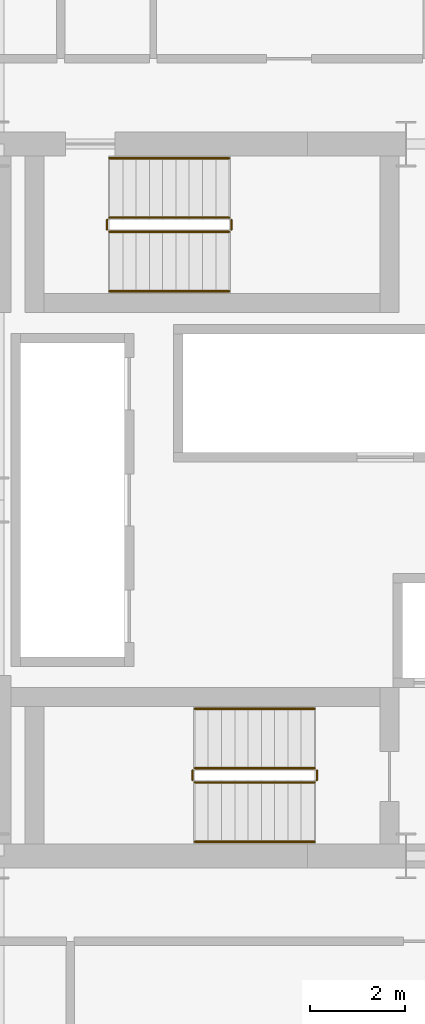
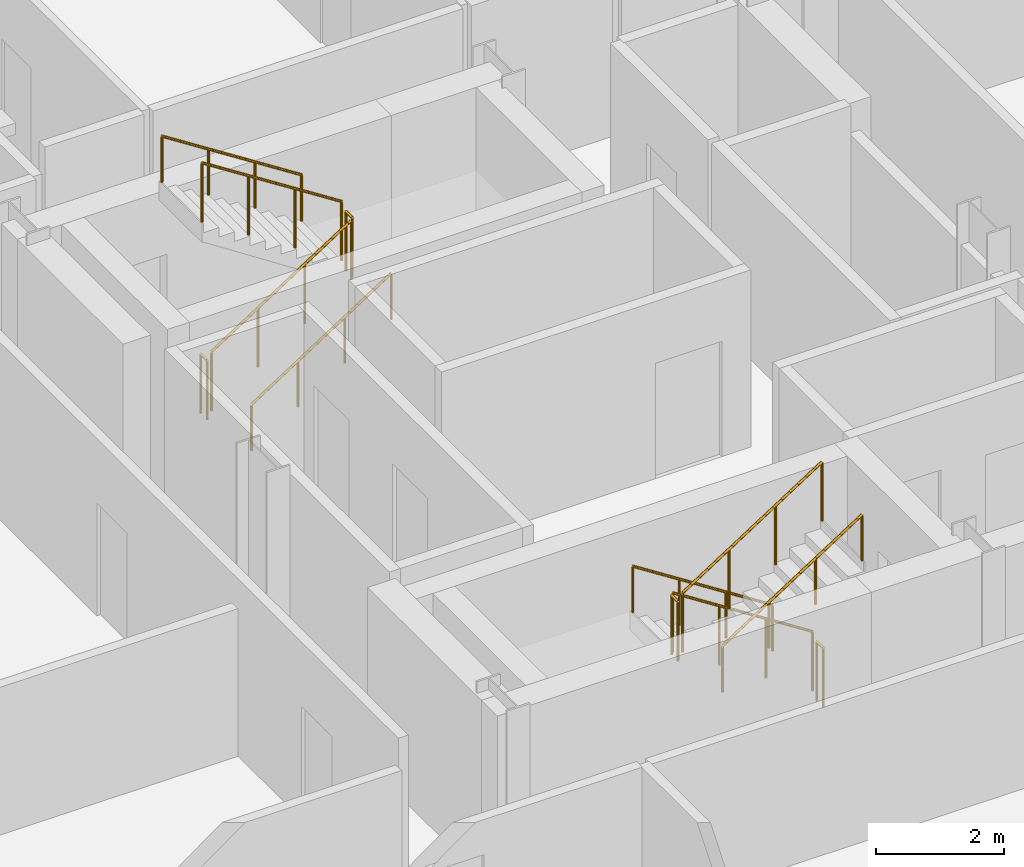
# One storey, part 23 of 24: 12 railings.
"""IFC4 building model written with IfcOpenShell, lengths in metres."""

from ifc_helpers import new_model, si_unit, direction, frame, origin, origin_2d, place, context, subcontext, project, spatial, circle, extrude, material, type_object, element, save


model = new_model("IFC4")

# Units and contexts
model_context = context("Model", 3, precision=1e-05, world=origin(), true_north=direction((0.0, 1.0)))
body_context = subcontext(model_context, "Body", "Model", "MODEL_VIEW")
ifc_project = project(units=[si_unit("LENGTHUNIT", "METRE"), si_unit("AREAUNIT", "SQUARE_METRE"), si_unit("VOLUMEUNIT", "CUBIC_METRE"), si_unit("PLANEANGLEUNIT", "RADIAN"), si_unit("MASSUNIT", "GRAM", prefix="KILO")], contexts=[model_context])

# Site, building, storey
site_placement = place(None, origin())
site = spatial("IfcSite", under=ifc_project, at=site_placement, CompositionType="ELEMENT")
building_placement = place(site_placement, origin())
building = spatial("IfcBuilding", under=site, at=building_placement, Name="Barlavira Tower and Art Museum", CompositionType="ELEMENT")
storey_placement = place(building_placement, frame((0.0, 0.0, 109.800048828125)))
storey = spatial("IfcBuildingStorey", under=building, at=storey_placement, Name="L27", CompositionType="ELEMENT", Elevation=109.800048828125)

# Railings
ifc_material = material(Name="Brushed stainless steel", Category="steel")
railing_type_1 = type_object("IfcRailingType", Name="Interior Void and Landing Guard Railing 1150", PredefinedType="GUARDRAIL", material=ifc_material)
railing_1_placement = place(storey_placement, frame((0.14990234375, -5.64990234375, 0.179931640625)))
element("IfcRailing", 1, at=railing_1_placement, inside=storey, type_object=railing_type_1, Name="L27 ST-T1 stair guard 1", PredefinedType="GUARDRAIL", context=body_context, shape_type="SweptSolid", body=[
    extrude(circle(Radius=0.02392578125, at=origin_2d()), frame((0.0, 0.0, 1.1259765625), z_axis=(-0.841162588446, 0.0, 0.540782303519), x_axis=(0.0, -1.0, 0.0)), (0.0, 0.0, 1.0), 2.995849609375),
    extrude(circle(Radius=0.02099609375, at=origin_2d()), origin(), (0.0, 0.0, 1.0), 1.101806640625),
    extrude(circle(Radius=0.02099609375, at=origin_2d()), frame((-0.840087890625, 0.0, 0.5400390625)), (0.0, 0.0, 1.0), 1.101806640625),
    extrude(circle(Radius=0.02099609375, at=origin_2d()), frame((-1.679931640625, 0.0, 1.080078125)), (0.0, 0.0, 1.0), 1.101806640625),
    extrude(circle(Radius=0.02099609375, at=origin_2d()), frame((-2.52001953125, 0.0, 1.6201171875)), (0.0, 0.0, 1.0), 1.101806640625),
])
railing_2_placement = place(storey_placement, frame((-2.419921875, -5.699951171875, 1.800048828125)))
element("IfcRailing", 2, at=railing_2_placement, inside=storey, type_object=railing_type_1, Name="L27 ST-T1 stair guard 2", PredefinedType="GUARDRAIL", context=body_context, shape_type="SweptSolid", body=[
    extrude(circle(Radius=0.02392578125, at=origin_2d()), frame((0.0, 0.0, 1.1259765625), z_axis=(0.0, -1.0, 0.0), x_axis=(1.0, 0.0, 0.0)), (0.0, 0.0, 1.0), 0.199951171875),
    extrude(circle(Radius=0.02099609375, at=origin_2d()), origin(), (0.0, 0.0, 1.0), 1.101806640625),
    extrude(circle(Radius=0.02099609375, at=origin_2d()), frame((0.0, -0.199951171875, 0.0)), (0.0, 0.0, 1.0), 1.101806640625),
])
railing_3_placement = place(storey_placement, frame((-2.3701171875, -5.949951171875, 1.97998046875)))
element("IfcRailing", 3, at=railing_3_placement, inside=storey, type_object=railing_type_1, Name="L27 ST-T1 stair guard 3", PredefinedType="GUARDRAIL", context=body_context, shape_type="SweptSolid", body=[
    extrude(circle(Radius=0.02392578125, at=origin_2d()), frame((0.0, 0.0, 1.1259765625), z_axis=(0.841199657755, 0.0, 0.540724639528), x_axis=(0.0, 1.0, 0.0)), (0.0, 0.0, 1.0), 2.995849609375),
    extrude(circle(Radius=0.02099609375, at=origin_2d()), origin(), (0.0, 0.0, 1.0), 1.101806640625),
    extrude(circle(Radius=0.02099609375, at=origin_2d()), frame((0.840087890625, 0.0, 0.5400390625)), (0.0, 0.0, 1.0), 1.101806640625),
    extrude(circle(Radius=0.02099609375, at=origin_2d()), frame((1.679931640625, 0.0, 1.079833984375)), (0.0, 0.0, 1.0), 1.101806640625),
    extrude(circle(Radius=0.02099609375, at=origin_2d()), frame((2.52001953125, 0.0, 1.619873046875)), (0.0, 0.0, 1.0), 1.101806640625),
])
railing_4_placement = place(storey_placement, frame((0.199951171875, -5.699951171875, 0.0)))
element("IfcRailing", 4, at=railing_4_placement, inside=storey, type_object=railing_type_1, Name="L27 ST-T1 stair guard 4", PredefinedType="GUARDRAIL", context=body_context, shape_type="SweptSolid", body=[
    extrude(circle(Radius=0.02392578125, at=origin_2d()), frame((0.0, 0.0, 1.1259765625), z_axis=(0.0, -1.0, 0.0), x_axis=(1.0, 0.0, 0.0)), (0.0, 0.0, 1.0), 0.199951171875),
    extrude(circle(Radius=0.02099609375, at=origin_2d()), origin(), (0.0, 0.0, 1.0), 1.101806640625),
    extrude(circle(Radius=0.02099609375, at=origin_2d()), frame((0.0, -0.199951171875, 0.0)), (0.0, 0.0, 1.0), 1.101806640625),
])
railing_5_placement = place(storey_placement, frame((-4.169921875, 5.64990234375, 0.179931640625)))
element("IfcRailing", 5, at=railing_5_placement, inside=storey, type_object=railing_type_1, Name="L27 ST-T2 stair guard 1", PredefinedType="GUARDRAIL", context=body_context, shape_type="SweptSolid", body=[
    extrude(circle(Radius=0.02392578125, at=origin_2d()), frame((0.0, 0.0, 1.1259765625), z_axis=(0.841162588446, 0.0, 0.540782303519), x_axis=(0.0, 1.0, 0.0)), (0.0, 0.0, 1.0), 2.995849609375),
    extrude(circle(Radius=0.02099609375, at=origin_2d()), origin(), (0.0, 0.0, 1.0), 1.101806640625),
    extrude(circle(Radius=0.02099609375, at=origin_2d()), frame((0.840087890625, 0.0, 0.5400390625)), (0.0, 0.0, 1.0), 1.101806640625),
    extrude(circle(Radius=0.02099609375, at=origin_2d()), frame((1.679931640625, 0.0, 1.080078125)), (0.0, 0.0, 1.0), 1.101806640625),
    extrude(circle(Radius=0.02099609375, at=origin_2d()), frame((2.52001953125, 0.0, 1.6201171875)), (0.0, 0.0, 1.0), 1.101806640625),
])
railing_6_placement = place(storey_placement, frame((-1.60009765625, 5.699951171875, 1.800048828125)))
element("IfcRailing", 6, at=railing_6_placement, inside=storey, type_object=railing_type_1, Name="L27 ST-T2 stair guard 2", PredefinedType="GUARDRAIL", context=body_context, shape_type="SweptSolid", body=[
    extrude(circle(Radius=0.02392578125, at=origin_2d()), frame((0.0, 0.0, 1.1259765625), z_axis=(0.0, 1.0, 0.0), x_axis=(-1.0, 0.0, 0.0)), (0.0, 0.0, 1.0), 0.199951171875),
    extrude(circle(Radius=0.02099609375, at=origin_2d()), origin(), (0.0, 0.0, 1.0), 1.101806640625),
    extrude(circle(Radius=0.02099609375, at=origin_2d()), frame((0.0, 0.199951171875, 0.0)), (0.0, 0.0, 1.0), 1.101806640625),
])
railing_7_placement = place(storey_placement, frame((-1.64990234375, 5.949951171875, 1.97998046875)))
element("IfcRailing", 7, at=railing_7_placement, inside=storey, type_object=railing_type_1, Name="L27 ST-T2 stair guard 3", PredefinedType="GUARDRAIL", context=body_context, shape_type="SweptSolid", body=[
    extrude(circle(Radius=0.02392578125, at=origin_2d()), frame((0.0, 0.0, 1.1259765625), z_axis=(-0.841199657755, 0.0, 0.540724639528), x_axis=(0.0, -1.0, 0.0)), (0.0, 0.0, 1.0), 2.995849609375),
    extrude(circle(Radius=0.02099609375, at=origin_2d()), origin(), (0.0, 0.0, 1.0), 1.101806640625),
    extrude(circle(Radius=0.02099609375, at=origin_2d()), frame((-0.840087890625, 0.0, 0.5400390625)), (0.0, 0.0, 1.0), 1.101806640625),
    extrude(circle(Radius=0.02099609375, at=origin_2d()), frame((-1.679931640625, 0.0, 1.079833984375)), (0.0, 0.0, 1.0), 1.101806640625),
    extrude(circle(Radius=0.02099609375, at=origin_2d()), frame((-2.52001953125, 0.0, 1.619873046875)), (0.0, 0.0, 1.0), 1.101806640625),
])
railing_8_placement = place(storey_placement, frame((-4.219970703125, 5.699951171875, 0.0)))
element("IfcRailing", 8, at=railing_8_placement, inside=storey, type_object=railing_type_1, Name="L27 ST-T2 stair guard 4", PredefinedType="GUARDRAIL", context=body_context, shape_type="SweptSolid", body=[
    extrude(circle(Radius=0.02392578125, at=origin_2d()), frame((0.0, 0.0, 1.1259765625), z_axis=(0.0, 1.0, 0.0), x_axis=(-1.0, 0.0, 0.0)), (0.0, 0.0, 1.0), 0.199951171875),
    extrude(circle(Radius=0.02099609375, at=origin_2d()), origin(), (0.0, 0.0, 1.0), 1.101806640625),
    extrude(circle(Radius=0.02099609375, at=origin_2d()), frame((0.0, 0.199951171875, 0.0)), (0.0, 0.0, 1.0), 1.101806640625),
])
railing_type_2 = type_object("IfcRailingType", Name="Stair Pitch Tubular Steel Handrail 920", PredefinedType="HANDRAIL", material=ifc_material)
railing_9_placement = place(storey_placement, frame((0.14990234375, -4.39990234375, 0.179931640625)))
element("IfcRailing", 9, at=railing_9_placement, inside=storey, type_object=railing_type_2, Name="L27 ST-T1 stair handrail 1", PredefinedType="HANDRAIL", context=body_context, shape_type="SweptSolid", body=[
    extrude(circle(Radius=0.02392578125, at=origin_2d()), frame((0.0, 0.0, 0.8759765625), z_axis=(-0.841162588446, 0.0, 0.540782303519), x_axis=(0.0, -1.0, 0.0)), (0.0, 0.0, 1.0), 2.995849609375),
    extrude(circle(Radius=0.02099609375, at=origin_2d()), origin(), (0.0, 0.0, 1.0), 0.851806640625),
    extrude(circle(Radius=0.02099609375, at=origin_2d()), frame((-0.840087890625, 0.0, 0.5400390625)), (0.0, 0.0, 1.0), 0.851806640625),
    extrude(circle(Radius=0.02099609375, at=origin_2d()), frame((-1.679931640625, 0.0, 1.080078125)), (0.0, 0.0, 1.0), 0.851806640625),
    extrude(circle(Radius=0.02099609375, at=origin_2d()), frame((-2.52001953125, 0.0, 1.6201171875)), (0.0, 0.0, 1.0), 0.851806640625),
])
railing_10_placement = place(storey_placement, frame((-2.3701171875, -7.199951171875, 1.97998046875)))
element("IfcRailing", 10, at=railing_10_placement, inside=storey, type_object=railing_type_2, Name="L27 ST-T1 stair handrail 2", PredefinedType="HANDRAIL", context=body_context, shape_type="SweptSolid", body=[
    extrude(circle(Radius=0.02392578125, at=origin_2d()), frame((0.0, 0.0, 0.8759765625), z_axis=(0.841199657755, 0.0, 0.540724639528), x_axis=(0.0, 1.0, 0.0)), (0.0, 0.0, 1.0), 2.995849609375),
    extrude(circle(Radius=0.02099609375, at=origin_2d()), origin(), (0.0, 0.0, 1.0), 0.851806640625),
    extrude(circle(Radius=0.02099609375, at=origin_2d()), frame((0.840087890625, 0.0, 0.5400390625)), (0.0, 0.0, 1.0), 0.851806640625),
    extrude(circle(Radius=0.02099609375, at=origin_2d()), frame((1.679931640625, 0.0, 1.079833984375)), (0.0, 0.0, 1.0), 0.851806640625),
    extrude(circle(Radius=0.02099609375, at=origin_2d()), frame((2.52001953125, 0.0, 1.619873046875)), (0.0, 0.0, 1.0), 0.851806640625),
])
railing_11_placement = place(storey_placement, frame((-4.169921875, 4.39990234375, 0.179931640625)))
element("IfcRailing", 11, at=railing_11_placement, inside=storey, type_object=railing_type_2, Name="L27 ST-T2 stair handrail 1", PredefinedType="HANDRAIL", context=body_context, shape_type="SweptSolid", body=[
    extrude(circle(Radius=0.02392578125, at=origin_2d()), frame((0.0, 0.0, 0.8759765625), z_axis=(0.841162588446, 0.0, 0.540782303519), x_axis=(0.0, 1.0, 0.0)), (0.0, 0.0, 1.0), 2.995849609375),
    extrude(circle(Radius=0.02099609375, at=origin_2d()), origin(), (0.0, 0.0, 1.0), 0.851806640625),
    extrude(circle(Radius=0.02099609375, at=origin_2d()), frame((0.840087890625, 0.0, 0.5400390625)), (0.0, 0.0, 1.0), 0.851806640625),
    extrude(circle(Radius=0.02099609375, at=origin_2d()), frame((1.679931640625, 0.0, 1.080078125)), (0.0, 0.0, 1.0), 0.851806640625),
    extrude(circle(Radius=0.02099609375, at=origin_2d()), frame((2.52001953125, 0.0, 1.6201171875)), (0.0, 0.0, 1.0), 0.851806640625),
])
railing_12_placement = place(storey_placement, frame((-1.64990234375, 7.199951171875, 1.97998046875)))
element("IfcRailing", 12, at=railing_12_placement, inside=storey, type_object=railing_type_2, Name="L27 ST-T2 stair handrail 2", PredefinedType="HANDRAIL", context=body_context, shape_type="SweptSolid", body=[
    extrude(circle(Radius=0.02392578125, at=origin_2d()), frame((0.0, 0.0, 0.8759765625), z_axis=(-0.841199657755, 0.0, 0.540724639528), x_axis=(0.0, -1.0, 0.0)), (0.0, 0.0, 1.0), 2.995849609375),
    extrude(circle(Radius=0.02099609375, at=origin_2d()), origin(), (0.0, 0.0, 1.0), 0.851806640625),
    extrude(circle(Radius=0.02099609375, at=origin_2d()), frame((-0.840087890625, 0.0, 0.5400390625)), (0.0, 0.0, 1.0), 0.851806640625),
    extrude(circle(Radius=0.02099609375, at=origin_2d()), frame((-1.679931640625, 0.0, 1.079833984375)), (0.0, 0.0, 1.0), 0.851806640625),
    extrude(circle(Radius=0.02099609375, at=origin_2d()), frame((-2.52001953125, 0.0, 1.619873046875)), (0.0, 0.0, 1.0), 0.851806640625),
])

save(model, "model.ifc")
